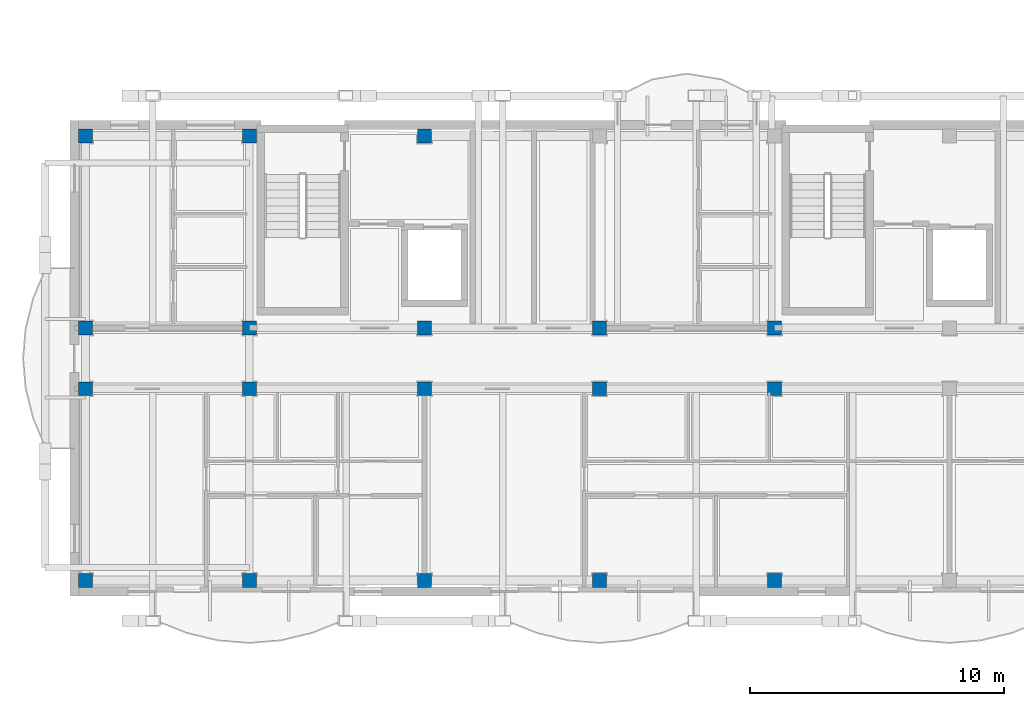
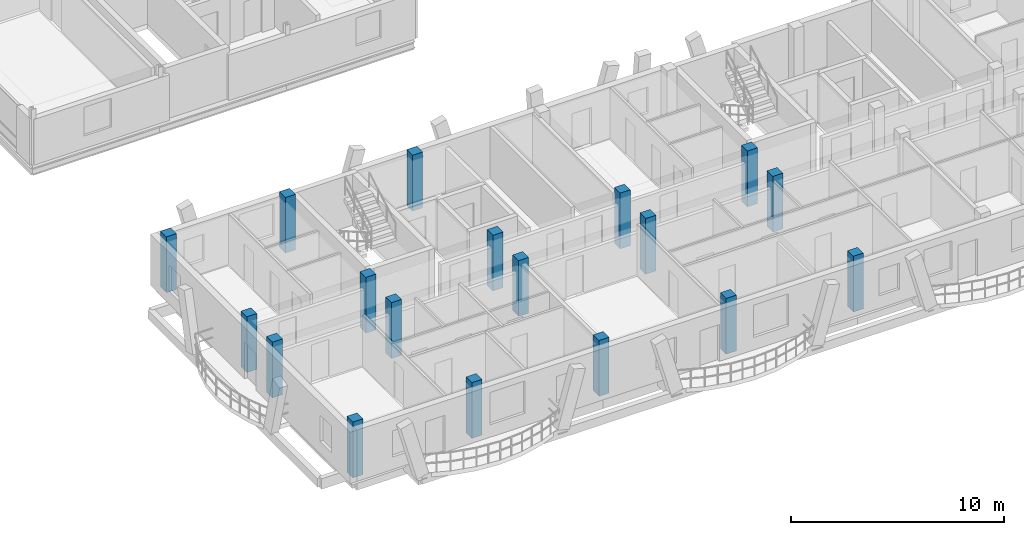
# One storey, part 1 of 109: 18 columns.
"""IFC4 building model written with IfcOpenShell, lengths in metres."""

from ifc_helpers import new_model, si_unit, direction, frame, origin, origin_2d, place, context, subcontext, project, spatial, rectangle, extrude, material, material_profile, profile_set, type_object, element, save


model = new_model("IFC4")

# Units and contexts
model_context = context("Model", 3, precision=1e-05, world=origin(), true_north=direction((0.0, 1.0)))
body_context = subcontext(model_context, "Body", "Model", "MODEL_VIEW")
ifc_project = project(units=[si_unit("LENGTHUNIT", "METRE"), si_unit("AREAUNIT", "SQUARE_METRE"), si_unit("VOLUMEUNIT", "CUBIC_METRE"), si_unit("PLANEANGLEUNIT", "RADIAN"), si_unit("MASSUNIT", "GRAM", prefix="KILO")], contexts=[model_context])

# Site, building, storey
site_placement = place(None, origin())
site = spatial("IfcSite", under=ifc_project, at=site_placement, CompositionType="ELEMENT")
building_placement = place(site_placement, origin())
building = spatial("IfcBuilding", under=site, at=building_placement, Name="Zavelmont Quarter", CompositionType="ELEMENT")
storey_placement = place(building_placement, frame((0.0, 0.0, 8.0)))
storey = spatial("IfcBuildingStorey", under=building, at=storey_placement, Name="L02", CompositionType="ELEMENT", Elevation=8.0)

# Columns
ifc_material = material(Name="Concrete C40/50", Category="concrete")
ifc_material_profile = material_profile(ifc_material, rectangle(XDim=0.550048828125, YDim=0.550048828125, at=origin_2d()), Name="RC550X550")
ifc_profile_set = profile_set([ifc_material_profile], Name="Concrete C40/50")
column_type = type_object("IfcColumnType", Name="CL02", PredefinedType="COLUMN", material=ifc_profile_set)
for number, where, z_axis, x_axis, name in (
    (1, (0.43994140625, 0.43994140625, 0.0), (0.0, 0.0, 1.0), (1.0, 0.0, 0.0), "L02 column CL02 at 1/A"),
    (2, (0.43994140625, 8.0, 0.0), (0.0, 0.0, 1.0), (1.0, 0.0, 0.0), "L02 column CL02 at 1/B"),
    (3, (0.43994140625, 10.39990234375, 0.0), (0.0, 0.0, 1.0), (1.0, 0.0, 0.0), "L02 column CL02 at 1/C"),
    (4, (0.43994140625, 17.9599609375, 0.0), (0.0, 0.0, 1.0), (1.0, 0.0, 0.0), "L02 column CL02 at 1/D"),
    (5, (6.89990234375, 0.43994140625, 0.0), (0.0, 0.0, 1.0), (1.0, 0.0, 0.0), "L02 column CL02 at 2/A"),
    (6, (6.89990234375, 8.0, 0.0), (0.0, 0.0, 1.0), (1.0, 0.0, 0.0), "L02 column CL02 at 2/B"),
    (7, (6.89990234375, 10.39990234375, 0.0), (0.0, 0.0, 1.0), (1.0, 0.0, 0.0), "L02 column CL02 at 2/C"),
    (8, (6.89990234375, 17.9599609375, 0.0), (0.0, 0.0, 1.0), (1.0, 0.0, 0.0), "L02 column CL02 at 2/D"),
    (9, (13.800048828125, 0.43994140625, 0.0), (0.0, 0.0, 1.0), (1.0, 0.0, 0.0), "L02 column CL02 at 3/A"),
    (10, (13.800048828125, 8.0, 0.0), (0.0, 0.0, 1.0), (1.0, 0.0, 0.0), "L02 column CL02 at 3/B"),
    (11, (13.800048828125, 10.39990234375, 0.0), (0.0, 0.0, 1.0), (1.0, 0.0, 0.0), "L02 column CL02 at 3/C"),
    (12, (13.800048828125, 17.9599609375, 0.0), (0.0, 0.0, 1.0), (1.0, 0.0, 0.0), "L02 column CL02 at 3/D"),
    (13, (20.699951171875, 0.43994140625, 0.0), (0.0, 0.0, 1.0), (1.0, 0.0, 0.0), "L02 column CL02 at 4/A"),
    (14, (20.699951171875, 8.0, 0.0), (0.0, 0.0, 1.0), (1.0, 0.0, 0.0), "L02 column CL02 at 4/B"),
    (15, (20.699951171875, 10.39990234375, 0.0), (0.0, 0.0, 1.0), (1.0, 0.0, 0.0), "L02 column CL02 at 4/C"),
    (16, (27.60009765625, 0.43994140625, 0.0), (0.0, 0.0, 1.0), (1.0, 0.0, 0.0), "L02 column CL02 at 5/A"),
    (17, (27.60009765625, 8.0, 0.0), (0.0, 0.0, 1.0), (1.0, 0.0, 0.0), "L02 column CL02 at 5/B"),
    (18, (27.60009765625, 10.39990234375, 0.0), (0.0, 0.0, 1.0), (1.0, 0.0, 0.0), "L02 column CL02 at 5/C"),
):
    element("IfcColumn", number, at=place(storey_placement, frame(where, z_axis=z_axis, x_axis=x_axis)), inside=storey, type_object=column_type, Name=name, PredefinedType="COLUMN", context=body_context, shape_type="SweptSolid", body=[
        extrude(rectangle(XDim=0.550048828125, YDim=0.550048828125, at=origin_2d()), origin(), (0.0, 0.0, 1.0), 3.199951171875),
    ])

save(model, "model.ifc")
